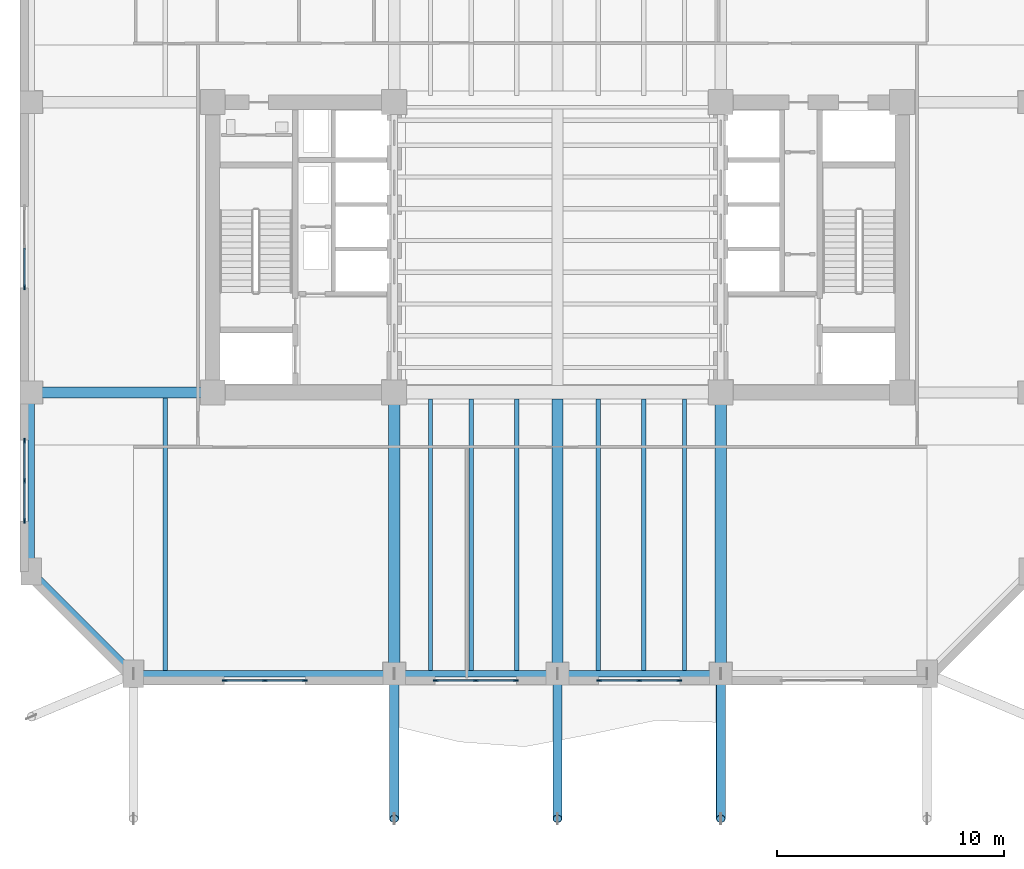
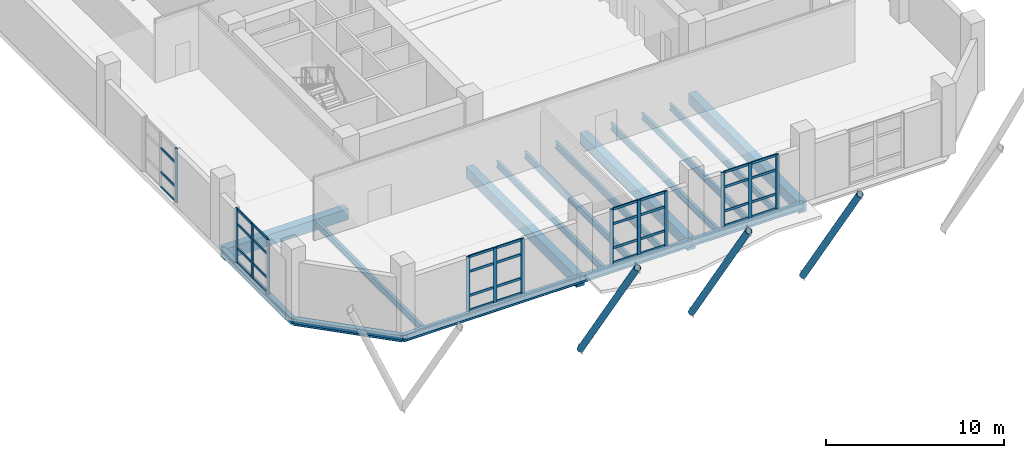
# One storey, part 2 of 16: 51 members, 16 beams, 5 elements without a shape of their own.
"""IFC4 building model written with IfcOpenShell, lengths in metres."""

import ifcopenshell
import ifcopenshell.guid

model = None  # the IFC model being written
_history = None  # IfcOwnerHistory: only IFC2X3 demands one
_inside = {}  # id of a spatial element -> (the spatial element, [elements in it])
_under = {}  # id of a project, library or spatial element -> (it, [spatial elements below it])
_declared = {}  # id of a project -> (the project, [libraries it declares])
_typed = {}  # id of a type object -> (the type object, [elements of that type])
_made_of = {}  # id of a material, layer set ... -> (it, [elements and type objects made of it])


def new_model(schema):
    """Start an empty IFC model of exactly this schema.

    Asked for "IFC4X3", IfcOpenShell would pick the latest addendum, in which some entities
    have other attributes; the version numbers below select the first issue.
    IFC2X3 requires an IfcOwnerHistory on every rooted entity: one is made here for all.
    """
    global model, _history
    if schema == "IFC4X3":
        model = ifcopenshell.file(schema_version=(4, 3, 0, 0))
    else:
        model = ifcopenshell.file(schema=schema)
    _inside.clear()
    _under.clear()
    _declared.clear()
    _typed.clear()
    _made_of.clear()
    _history = None
    if model.schema == "IFC2X3":
        org = make("IfcOrganization", Name="unknown")
        user = make(
            "IfcPersonAndOrganization",
            ThePerson=make("IfcPerson", FamilyName="unknown"),
            TheOrganization=org,
        )
        app = make(
            "IfcApplication",
            ApplicationDeveloper=org,
            Version="unknown",
            ApplicationFullName="unknown",
            ApplicationIdentifier="unknown",
        )
        _history = make(
            "IfcOwnerHistory",
            OwningUser=user,
            OwningApplication=app,
            ChangeAction="ADDED",
            CreationDate=0,
        )
    return model


def make(cls, **values):
    """One entity of the class cls with the attributes given. An attribute that is None is left unset."""
    return model.create_entity(
        cls, **{name: value for name, value in values.items() if value is not None}
    )


def rooted(cls, **values):
    """An entity with a GlobalId (a new one), such as an element, a storey or a relation."""
    return make(cls, GlobalId=ifcopenshell.guid.new(), OwnerHistory=_history, **values)


def si_unit(unit_type, name, prefix=None):
    """IfcSIUnit, for example si_unit("LENGTHUNIT", "METRE", prefix="MILLI")."""
    return make("IfcSIUnit", UnitType=unit_type, Prefix=prefix, Name=name)


def assignment(units):
    """IfcUnitAssignment: the units of a project."""
    return None if units is None else make("IfcUnitAssignment", Units=units)


def point(xyz):
    """IfcCartesianPoint."""
    return None if xyz is None else make("IfcCartesianPoint", Coordinates=xyz)


def direction(xyz):
    """IfcDirection."""
    return None if xyz is None else make("IfcDirection", DirectionRatios=xyz)


def frame(location, z_axis=None, x_axis=None):
    """IfcAxis2Placement3D, a coordinate frame: its origin and axes. An axis left out is left unset."""
    return make(
        "IfcAxis2Placement3D",
        Location=point(location),
        Axis=direction(z_axis),
        RefDirection=direction(x_axis),
    )


def frame_2d(location, x_axis=None):
    """IfcAxis2Placement2D, a coordinate frame in the plane: its origin and x axis."""
    return make(
        "IfcAxis2Placement2D", Location=point(location), RefDirection=direction(x_axis)
    )


def origin():
    """The frame at (0, 0, 0) with its axes left unset."""
    return frame((0.0, 0.0, 0.0))


def origin_2d():
    """The frame at (0, 0) in the plane with its x axis left unset."""
    return frame_2d((0.0, 0.0))


def place(relative_to, where):
    """IfcLocalPlacement: puts the frame where relative to a parent placement (None: the world)."""
    return make(
        "IfcLocalPlacement", PlacementRelTo=relative_to, RelativePlacement=where
    )


def context(
    kind, dimensions, precision=None, world=None, true_north=None, identifier=None
):
    """IfcGeometricRepresentationContext, for example the 3D "Model" context."""
    return make(
        "IfcGeometricRepresentationContext",
        ContextIdentifier=identifier,
        ContextType=kind,
        CoordinateSpaceDimension=dimensions,
        Precision=precision,
        WorldCoordinateSystem=world,
        TrueNorth=true_north,
    )


def subcontext(parent, identifier, kind, view, scale=None):
    """IfcGeometricRepresentationSubContext, for example "Body" below "Model"."""
    return make(
        "IfcGeometricRepresentationSubContext",
        ContextIdentifier=identifier,
        ContextType=kind,
        ParentContext=parent,
        TargetScale=scale,
        TargetView=view,
    )


def project(units=None, contexts=None):
    """IfcProject with its units and contexts."""
    return rooted(
        "IfcProject",
        Name="project",
        RepresentationContexts=contexts,
        UnitsInContext=assignment(units),
    )


def spatial(cls, under=None, at=None, **own):
    """A site, building, storey or space (cls), placed at a placement, below another one or the project."""
    s = rooted(cls, ObjectPlacement=at, **own)
    if under is not None:
        _under.setdefault(under.id(), (under, []))[1].append(s)
    return s


def profile(cls, at=None, kind="AREA", **sizes):
    """A parametric profile (cls). Its sizes go by their IFC names, for example OverallWidth=200.0."""
    return make(cls, ProfileType=kind, Position=at, **sizes)


def rectangle(**sizes):
    """IfcRectangleProfileDef."""
    return profile("IfcRectangleProfileDef", **sizes)


def hollow_circle(**sizes):
    """IfcCircleHollowProfileDef."""
    return profile("IfcCircleHollowProfileDef", **sizes)


def i_section(**sizes):
    """IfcIShapeProfileDef."""
    return profile("IfcIShapeProfileDef", **sizes)


def extrude(swept, where, along, depth):
    """IfcExtrudedAreaSolid: the profile swept, set in the frame where, extruded along a direction by depth."""
    return make(
        "IfcExtrudedAreaSolid",
        SweptArea=swept,
        Position=where,
        ExtrudedDirection=direction(along),
        Depth=depth,
    )


def shape(context_of_items, identifier, shape_type, items):
    """IfcShapeRepresentation: the items that make up one representation, for example the "Body"."""
    return make(
        "IfcShapeRepresentation",
        ContextOfItems=context_of_items,
        RepresentationIdentifier=identifier,
        RepresentationType=shape_type,
        Items=items,
    )


def material(Name=None, Category=None):
    """IfcMaterial."""
    return make("IfcMaterial", Name=Name, Category=Category)


def layer(
    of_material, thickness, ventilated=None, Name=None, Category=None, Priority=None
):
    """IfcMaterialLayer: one layer of a wall or slab, of a material (None: an air gap)."""
    return make(
        "IfcMaterialLayer",
        Material=of_material,
        LayerThickness=thickness,
        IsVentilated=ventilated,
        Name=Name,
        Category=Category,
        Priority=Priority,
    )


def layer_set(layers, Name=None):
    """IfcMaterialLayerSet."""
    return make("IfcMaterialLayerSet", MaterialLayers=layers, LayerSetName=Name)


def material_profile(
    of_material, cross_section, Name=None, Category=None, Priority=None
):
    """IfcMaterialProfile: a cross section and its material."""
    return make(
        "IfcMaterialProfile",
        Name=Name,
        Material=of_material,
        Profile=cross_section,
        Priority=Priority,
        Category=Category,
    )


def profile_set(profiles, Name=None, composite=None):
    """IfcMaterialProfileSet."""
    return make(
        "IfcMaterialProfileSet",
        Name=Name,
        MaterialProfiles=profiles,
        CompositeProfile=composite,
    )


def made_of(thing, what):
    """Note that an element or type object is made of a material, layer set ...; save() writes the relation."""
    if what is not None:
        _made_of.setdefault(what.id(), (what, []))[1].append(thing)
    return thing


def type_object(cls, material=None, **own):
    """A type object (cls), such as IfcWallType, which elements share."""
    return made_of(rooted(cls, **own), material)


def element(
    cls,
    number,
    at=None,
    inside=None,
    cuts=None,
    type_object=None,
    material=None,
    context=None,
    identifier="Body",
    shape_type=None,
    held_by="IfcProductDefinitionShape",
    body=None,
    shapes=None,
    **own,
):
    """One element of the class cls, such as IfcWall. Its Tag is "e" and its number.

    at: its placement. inside: the storey or other place that contains it. cuts: it is an
    opening in that element (IfcRelVoidsElement). A single representation is given by context,
    identifier, shape_type and body (its items); several are given by shapes. held_by: the class
    of the entity that holds the representations. save() writes the other relations.
    """
    e = rooted(cls, Tag="e%d" % number, ObjectPlacement=at, **own)
    if body is not None:
        shapes = [shape(context, identifier, shape_type, body)]
    if shapes is not None:
        e.Representation = make(held_by, Representations=shapes)
    if inside is not None:
        _inside.setdefault(inside.id(), (inside, []))[1].append(e)
    if cuts is not None:
        rooted(
            "IfcRelVoidsElement", RelatingBuildingElement=cuts, RelatedOpeningElement=e
        )
    if type_object is not None:
        _typed.setdefault(type_object.id(), (type_object, []))[1].append(e)
    return made_of(e, material)


def aggregate(whole, parts):
    """IfcRelAggregates: a whole, such as a stair, and the parts it consists of."""
    return rooted("IfcRelAggregates", RelatingObject=whole, RelatedObjects=parts)


def save(model, path):
    """Write the relations noted so far, then the file.

    IfcRelAggregates (storeys below a building ...), IfcRelContainedInSpatialStructure (elements
    in a storey), IfcRelDefinesByType, IfcRelAssociatesMaterial and IfcRelDeclares: one each for
    every whole, place, type object, material and project.
    """
    for whole, parts in _under.values():
        aggregate(whole, parts)
    for where, things in _inside.values():
        rooted(
            "IfcRelContainedInSpatialStructure",
            RelatedElements=things,
            RelatingStructure=where,
        )
    for kind, things in _typed.values():
        rooted("IfcRelDefinesByType", RelatedObjects=things, RelatingType=kind)
    for what, things in _made_of.values():
        rooted("IfcRelAssociatesMaterial", RelatedObjects=things, RelatingMaterial=what)
    for by, libraries in _declared.values():
        rooted("IfcRelDeclares", RelatingContext=by, RelatedDefinitions=libraries)
    model.write(path)


model = new_model("IFC4")

# Units and contexts
model_context = context("Model", 3, precision=1e-05, world=origin(), true_north=direction((0.0, 1.0)))
body_context = subcontext(model_context, "Body", "Model", "MODEL_VIEW")
ifc_project = project(units=[si_unit("LENGTHUNIT", "METRE"), si_unit("AREAUNIT", "SQUARE_METRE"), si_unit("VOLUMEUNIT", "CUBIC_METRE"), si_unit("PLANEANGLEUNIT", "RADIAN"), si_unit("MASSUNIT", "GRAM", prefix="KILO")], contexts=[model_context])

# Site, building, storey
site_placement = place(None, origin())
site = spatial("IfcSite", under=ifc_project, at=site_placement, CompositionType="ELEMENT")
building_placement = place(site_placement, origin())
building = spatial("IfcBuilding", under=site, at=building_placement, Name="Kranthara Brick Stack", CompositionType="ELEMENT")
storey_placement = place(building_placement, frame((0.0, 0.0, 115.5)))
storey = spatial("IfcBuildingStorey", under=building, at=storey_placement, Name="L28", CompositionType="ELEMENT", Elevation=115.5)

# Beams
ifc_material_1 = material(Name="Post-tensioned concrete C45/55", Category="concrete")
ifc_material_profile_1 = material_profile(ifc_material_1, rectangle(XDim=0.5, YDim=0.75, at=origin_2d()), Name="PT 500x750")
ifc_profile_set_1 = profile_set([ifc_material_profile_1], Name="Post-tensioned concrete C45/55")
beam_type_1 = type_object("IfcBeamType", Name="BM-FLR-PT750", PredefinedType="BEAM", material=ifc_profile_set_1)
beam_1_placement = place(storey_placement, frame((20.800048828125, 8.39990234375, -0.735107421875), z_axis=(0.0, 1.0, 0.0), x_axis=(-1.0, 0.0, 0.0)))
element("IfcBeam", 1, at=beam_1_placement, inside=storey, type_object=beam_type_1, Name="L28 Primary Grid Girder 023", PredefinedType="BEAM", context=body_context, shape_type="SweptSolid", body=[
    extrude(rectangle(XDim=0.5, YDim=0.75, at=origin_2d()), origin(), (0.0, 0.0, 1.0), 12.400146484375),
])
beam_2_placement = place(storey_placement, frame((28.0, 8.39990234375, -0.735107421875), z_axis=(0.0, 1.0, 0.0), x_axis=(-1.0, 0.0, 0.0)))
element("IfcBeam", 2, at=beam_2_placement, inside=storey, type_object=beam_type_1, Name="L28 Primary Grid Girder 025", PredefinedType="BEAM", context=body_context, shape_type="SweptSolid", body=[
    extrude(rectangle(XDim=0.5, YDim=0.75, at=origin_2d()), origin(), (0.0, 0.0, 1.0), 12.10009765625),
])
beam_3_placement = place(storey_placement, frame((35.199951171875, 8.39990234375, -0.735107421875), z_axis=(0.0, 1.0, 0.0), x_axis=(-1.0, 0.0, 0.0)))
element("IfcBeam", 3, at=beam_3_placement, inside=storey, type_object=beam_type_1, Name="L28 Primary Grid Girder 028", PredefinedType="BEAM", context=body_context, shape_type="SweptSolid", body=[
    extrude(rectangle(XDim=0.5, YDim=0.75, at=origin_2d()), origin(), (0.0, 0.0, 1.0), 12.400146484375),
])
beam_4_placement = place(storey_placement, frame((4.800048828125, 20.800048828125, -0.735107421875), z_axis=(1.0, 0.0, 0.0), x_axis=(0.0, 1.0, 0.0)))
element("IfcBeam", 4, at=beam_4_placement, inside=storey, type_object=beam_type_1, Name="L28 Primary Grid Girder 030", PredefinedType="BEAM", context=body_context, shape_type="SweptSolid", body=[
    extrude(rectangle(XDim=0.5, YDim=0.75, at=origin_2d()), origin(), (0.0, 0.0, 1.0), 8.0),
])
ifc_material_2 = material(Name="Steel S355", Category="steel")
ifc_material_profile_2 = material_profile(ifc_material_2, i_section(OverallWidth=0.18994140625, OverallDepth=0.449951171875, WebThickness=0.009521484375, FlangeThickness=0.0146484375, at=origin_2d()), Name="IPE 450")
ifc_profile_set_2 = profile_set([ifc_material_profile_2], Name="Steel S355")
beam_type_2 = type_object("IfcBeamType", Name="BM-JST-IPE450", PredefinedType="JOIST", material=ifc_profile_set_2)
beam_5_placement = place(storey_placement, frame((10.699951171875, 8.550048828125, -0.5849609375), z_axis=(0.0, 1.0, 0.0), x_axis=(-1.0, 0.0, 0.0)))
element("IfcBeam", 5, at=beam_5_placement, inside=storey, type_object=beam_type_2, Name="L28 South Wing Floor Joist 052", PredefinedType="JOIST", context=body_context, shape_type="SweptSolid", body=[
    extrude(i_section(OverallWidth=0.18994140625, OverallDepth=0.449951171875, WebThickness=0.009521484375, FlangeThickness=0.0146484375, at=origin_2d()), origin(), (0.0, 0.0, 1.0), 12.0),
])
for number, where, z_axis, x_axis, name in (
    (6, (22.39990234375, 8.550048828125, -0.5849609375), (0.0, 1.0, 0.0), (-1.0, 0.0, 0.0), "L28 South Wing Floor Joist 054"),
    (7, (24.199951171875, 8.550048828125, -0.5849609375), (0.0, 1.0, 0.0), (-1.0, 0.0, 0.0), "L28 South Wing Floor Joist 056"),
    (8, (26.199951171875, 8.550048828125, -0.5849609375), (0.0, 1.0, 0.0), (-1.0, 0.0, 0.0), "L28 South Wing Floor Joist 058"),
    (9, (29.800048828125, 8.550048828125, -0.5849609375), (0.0, 1.0, 0.0), (-1.0, 0.0, 0.0), "L28 South Wing Floor Joist 060"),
    (10, (31.800048828125, 8.550048828125, -0.5849609375), (0.0, 1.0, 0.0), (-1.0, 0.0, 0.0), "L28 South Wing Floor Joist 062"),
    (11, (33.60009765625, 8.550048828125, -0.5849609375), (0.0, 1.0, 0.0), (-1.0, 0.0, 0.0), "L28 South Wing Floor Joist 064"),
):
    element("IfcBeam", number, at=place(storey_placement, frame(where, z_axis=z_axis, x_axis=x_axis)), inside=storey, type_object=beam_type_2, Name=name, PredefinedType="JOIST", context=body_context, shape_type="SweptSolid", body=[
        extrude(i_section(OverallWidth=0.18994140625, OverallDepth=0.449951171875, WebThickness=0.009521484375, FlangeThickness=0.0146484375, at=origin_2d()), origin(), (0.0, 0.0, 1.0), 11.949951171875),
    ])
ifc_material_3 = material(Name="Steel S355", Category="steel")
ifc_material_profile_3 = material_profile(ifc_material_3, i_section(OverallWidth=0.300048828125, OverallDepth=0.449951171875, WebThickness=0.013916015625, FlangeThickness=0.02587890625, at=origin_2d()), Name="HEB 450")
ifc_profile_set_3 = profile_set([ifc_material_profile_3], Name="Steel S355")
beam_type_3 = type_object("IfcBeamType", Name="BM-STL-HEB450", PredefinedType="SPANDREL", material=ifc_profile_set_3)
beam_6_placement = place(storey_placement, frame((9.300048828125, 8.39990234375, -0.5849609375), z_axis=(1.0, 0.0, 0.0), x_axis=(0.0, 1.0, 0.0)))
element("IfcBeam", 12, at=beam_6_placement, inside=storey, type_object=beam_type_3, Name="L28 Perimeter Spandrel Beam 005", PredefinedType="SPANDREL", context=body_context, shape_type="SweptSolid", body=[
    extrude(i_section(OverallWidth=0.300048828125, OverallDepth=0.449951171875, WebThickness=0.013916015625, FlangeThickness=0.02587890625, at=origin_2d()), origin(), (0.0, 0.0, 1.0), 11.5),
])
for number, where, z_axis, x_axis, name in (
    (13, (20.800048828125, 8.39990234375, -0.5849609375), (1.0, 0.0, 0.0), (0.0, 1.0, 0.0), "L28 Perimeter Spandrel Beam 006"),
    (14, (28.0, 8.39990234375, -0.5849609375), (1.0, 0.0, 0.0), (0.0, 1.0, 0.0), "L28 Perimeter Spandrel Beam 007"),
):
    element("IfcBeam", number, at=place(storey_placement, frame(where, z_axis=z_axis, x_axis=x_axis)), inside=storey, type_object=beam_type_3, Name=name, PredefinedType="SPANDREL", context=body_context, shape_type="SweptSolid", body=[
        extrude(i_section(OverallWidth=0.300048828125, OverallDepth=0.449951171875, WebThickness=0.013916015625, FlangeThickness=0.02587890625, at=origin_2d()), origin(), (0.0, 0.0, 1.0), 7.199951171875),
    ])
beam_7_placement = place(storey_placement, frame((4.800048828125, 12.89990234375, -0.5849609375), z_axis=(0.0, 1.0, 0.0), x_axis=(-1.0, 0.0, 0.0)))
element("IfcBeam", 15, at=beam_7_placement, inside=storey, type_object=beam_type_3, Name="L28 Perimeter Spandrel Beam 013", PredefinedType="SPANDREL", context=body_context, shape_type="SweptSolid", body=[
    extrude(i_section(OverallWidth=0.300048828125, OverallDepth=0.449951171875, WebThickness=0.013916015625, FlangeThickness=0.02587890625, at=origin_2d()), origin(), (0.0, 0.0, 1.0), 7.900146484375),
])
beam_8_placement = place(storey_placement, frame((9.300048828125, 8.39990234375, -0.5849609375), z_axis=(-0.707106781187, 0.707106781187, 0.0), x_axis=(-0.707106781187, -0.707106781187, 0.0)))
element("IfcBeam", 16, at=beam_8_placement, inside=storey, type_object=beam_type_3, Name="L28 Chamfer Corner Spandrel 019", PredefinedType="SPANDREL", context=body_context, shape_type="SweptSolid", body=[
    extrude(i_section(OverallWidth=0.300048828125, OverallDepth=0.449951171875, WebThickness=0.013916015625, FlangeThickness=0.02587890625, at=origin_2d()), origin(), (0.0, 0.0, 1.0), 6.364013671875),
])

# Curtain wall, members
ifc_material_4 = material(Name="Bronze anodised aluminium and low-E glass", Category="aluminium")
ifc_layer = layer(ifc_material_4, 0.219970703125)
ifc_layer_set = layer_set([ifc_layer], Name="Bronze anodised aluminium and low-E glass")
curtain_wall_type = type_object("IfcCurtainWallType", Name="CW-SYS3-SKYLOBBY1", PredefinedType="USERDEFINED", material=ifc_layer_set)
curtain_wall_1_placement = place(storey_placement, origin())
curtain_wall_1 = element("IfcCurtainWall", 17, at=curtain_wall_1_placement, inside=storey, type_object=curtain_wall_type, Name="L28 Curtain Wall CW3-L28-02", ObjectType="UNITISED CURTAIN WALL", PredefinedType="USERDEFINED")
ifc_material_5 = material(Name="Bronze anodised aluminium 6063-T6", Category="aluminium")
ifc_material_profile_4 = material_profile(ifc_material_5, rectangle(XDim=0.074951171875, YDim=0.219970703125, at=origin_2d()), Name="ALU MULLION 75x220")
ifc_profile_set_4 = profile_set([ifc_material_profile_4], Name="Bronze anodised aluminium 6063-T6")
member_type_1 = type_object("IfcMemberType", Name="CWM-75x220", PredefinedType="MULLION", material=ifc_profile_set_4)
member_1_placement = place(storey_placement, frame((33.362548828125, 8.094970703125, 0.0), z_axis=(0.0, 0.0, 1.0), x_axis=(0.0, -1.0, 0.0)))
member_1 = element("IfcMember", 18, at=member_1_placement, type_object=member_type_1, Name="CW mullion 1", PredefinedType="MULLION", context=body_context, shape_type="SweptSolid", body=[
    extrude(rectangle(XDim=0.074951171875, YDim=0.219970703125, at=origin_2d()), origin(), (0.0, 0.0, 1.0), 3.735107421875),
])
member_2_placement = place(storey_placement, frame((31.60009765625, 8.094970703125, 0.0), z_axis=(0.0, 0.0, 1.0), x_axis=(0.0, -1.0, 0.0)))
member_2 = element("IfcMember", 19, at=member_2_placement, type_object=member_type_1, Name="CW mullion 2", PredefinedType="MULLION", context=body_context, shape_type="SweptSolid", body=[
    extrude(rectangle(XDim=0.074951171875, YDim=0.219970703125, at=origin_2d()), origin(), (0.0, 0.0, 1.0), 3.735107421875),
])
member_3_placement = place(storey_placement, frame((29.83740234375, 8.094970703125, 0.0), z_axis=(0.0, 0.0, 1.0), x_axis=(0.0, -1.0, 0.0)))
member_3 = element("IfcMember", 20, at=member_3_placement, type_object=member_type_1, Name="CW mullion 3", PredefinedType="MULLION", context=body_context, shape_type="SweptSolid", body=[
    extrude(rectangle(XDim=0.074951171875, YDim=0.219970703125, at=origin_2d()), origin(), (0.0, 0.0, 1.0), 3.735107421875),
])

curtain_wall_2_placement = place(storey_placement, origin())
curtain_wall_2 = element("IfcCurtainWall", 21, at=curtain_wall_2_placement, inside=storey, type_object=curtain_wall_type, Name="L28 Curtain Wall CW3-L28-03", ObjectType="UNITISED CURTAIN WALL", PredefinedType="USERDEFINED")
member_4_placement = place(storey_placement, frame((26.16259765625, 8.094970703125, 0.0), z_axis=(0.0, 0.0, 1.0), x_axis=(0.0, -1.0, 0.0)))
member_4 = element("IfcMember", 22, at=member_4_placement, type_object=member_type_1, Name="CW mullion 1", PredefinedType="MULLION", context=body_context, shape_type="SweptSolid", body=[
    extrude(rectangle(XDim=0.074951171875, YDim=0.219970703125, at=origin_2d()), origin(), (0.0, 0.0, 1.0), 3.735107421875),
])
member_5_placement = place(storey_placement, frame((24.39990234375, 8.094970703125, 0.0), z_axis=(0.0, 0.0, 1.0), x_axis=(0.0, -1.0, 0.0)))
member_5 = element("IfcMember", 23, at=member_5_placement, type_object=member_type_1, Name="CW mullion 2", PredefinedType="MULLION", context=body_context, shape_type="SweptSolid", body=[
    extrude(rectangle(XDim=0.074951171875, YDim=0.219970703125, at=origin_2d()), origin(), (0.0, 0.0, 1.0), 3.735107421875),
])
member_6_placement = place(storey_placement, frame((22.637451171875, 8.094970703125, 0.0), z_axis=(0.0, 0.0, 1.0), x_axis=(0.0, -1.0, 0.0)))
member_6 = element("IfcMember", 24, at=member_6_placement, type_object=member_type_1, Name="CW mullion 3", PredefinedType="MULLION", context=body_context, shape_type="SweptSolid", body=[
    extrude(rectangle(XDim=0.074951171875, YDim=0.219970703125, at=origin_2d()), origin(), (0.0, 0.0, 1.0), 3.735107421875),
])

curtain_wall_3_placement = place(storey_placement, origin())
curtain_wall_3 = element("IfcCurtainWall", 25, at=curtain_wall_3_placement, inside=storey, type_object=curtain_wall_type, Name="L28 Curtain Wall CW3-L28-04", ObjectType="UNITISED CURTAIN WALL", PredefinedType="USERDEFINED")
member_7_placement = place(storey_placement, frame((16.862548828125, 8.094970703125, 0.0), z_axis=(0.0, 0.0, 1.0), x_axis=(0.0, -1.0, 0.0)))
member_7 = element("IfcMember", 26, at=member_7_placement, type_object=member_type_1, Name="CW mullion 1", PredefinedType="MULLION", context=body_context, shape_type="SweptSolid", body=[
    extrude(rectangle(XDim=0.074951171875, YDim=0.219970703125, at=origin_2d()), origin(), (0.0, 0.0, 1.0), 3.735107421875),
])
member_8_placement = place(storey_placement, frame((15.10009765625, 8.094970703125, 0.0), z_axis=(0.0, 0.0, 1.0), x_axis=(0.0, -1.0, 0.0)))
member_8 = element("IfcMember", 27, at=member_8_placement, type_object=member_type_1, Name="CW mullion 2", PredefinedType="MULLION", context=body_context, shape_type="SweptSolid", body=[
    extrude(rectangle(XDim=0.074951171875, YDim=0.219970703125, at=origin_2d()), origin(), (0.0, 0.0, 1.0), 3.735107421875),
])
member_9_placement = place(storey_placement, frame((13.33740234375, 8.094970703125, 0.0), z_axis=(0.0, 0.0, 1.0), x_axis=(0.0, -1.0, 0.0)))
member_9 = element("IfcMember", 28, at=member_9_placement, type_object=member_type_1, Name="CW mullion 3", PredefinedType="MULLION", context=body_context, shape_type="SweptSolid", body=[
    extrude(rectangle(XDim=0.074951171875, YDim=0.219970703125, at=origin_2d()), origin(), (0.0, 0.0, 1.0), 3.735107421875),
])

curtain_wall_4_placement = place(storey_placement, origin())
curtain_wall_4 = element("IfcCurtainWall", 29, at=curtain_wall_4_placement, inside=storey, type_object=curtain_wall_type, Name="L28 Curtain Wall CW3-L28-05", ObjectType="UNITISED CURTAIN WALL", PredefinedType="USERDEFINED")
member_10_placement = place(storey_placement, frame((4.4951171875, 15.137451171875, 0.0), z_axis=(0.0, 0.0, 1.0), x_axis=(-1.0, 0.0, 0.0)))
member_10 = element("IfcMember", 30, at=member_10_placement, type_object=member_type_1, Name="CW mullion 1", PredefinedType="MULLION", context=body_context, shape_type="SweptSolid", body=[
    extrude(rectangle(XDim=0.074951171875, YDim=0.219970703125, at=origin_2d()), origin(), (0.0, 0.0, 1.0), 3.735107421875),
])
member_11_placement = place(storey_placement, frame((4.4951171875, 16.89990234375, 0.0), z_axis=(0.0, 0.0, 1.0), x_axis=(-1.0, 0.0, 0.0)))
member_11 = element("IfcMember", 31, at=member_11_placement, type_object=member_type_1, Name="CW mullion 2", PredefinedType="MULLION", context=body_context, shape_type="SweptSolid", body=[
    extrude(rectangle(XDim=0.074951171875, YDim=0.219970703125, at=origin_2d()), origin(), (0.0, 0.0, 1.0), 3.735107421875),
])
member_12_placement = place(storey_placement, frame((4.4951171875, 18.66259765625, 0.0), z_axis=(0.0, 0.0, 1.0), x_axis=(-1.0, 0.0, 0.0)))
member_12 = element("IfcMember", 32, at=member_12_placement, type_object=member_type_1, Name="CW mullion 3", PredefinedType="MULLION", context=body_context, shape_type="SweptSolid", body=[
    extrude(rectangle(XDim=0.074951171875, YDim=0.219970703125, at=origin_2d()), origin(), (0.0, 0.0, 1.0), 3.735107421875),
])

# Curtain wall, member
curtain_wall_5_placement = place(storey_placement, origin())
curtain_wall_5 = element("IfcCurtainWall", 33, at=curtain_wall_5_placement, inside=storey, type_object=curtain_wall_type, Name="L28 Curtain Wall CW3-L28-06", ObjectType="UNITISED CURTAIN WALL", PredefinedType="USERDEFINED")
member_13_placement = place(storey_placement, frame((4.4951171875, 25.4375, 0.0), z_axis=(0.0, 0.0, 1.0), x_axis=(-1.0, 0.0, 0.0)))
member_13 = element("IfcMember", 34, at=member_13_placement, type_object=member_type_1, Name="CW mullion 1", PredefinedType="MULLION", context=body_context, shape_type="SweptSolid", body=[
    extrude(rectangle(XDim=0.074951171875, YDim=0.219970703125, at=origin_2d()), origin(), (0.0, 0.0, 1.0), 3.735107421875),
])

# Member
ifc_material_6 = material(Name="Bronze anodised aluminium 6063-T6", Category="aluminium")
ifc_material_profile_5 = material_profile(ifc_material_6, rectangle(XDim=0.074951171875, YDim=0.1650390625, at=origin_2d()), Name="ALU TRANSOM 75x165")
ifc_profile_set_5 = profile_set([ifc_material_profile_5], Name="Bronze anodised aluminium 6063-T6")
member_type_2 = type_object("IfcMemberType", Name="CWT-75x165", PredefinedType="USERDEFINED", material=ifc_profile_set_5)
member_14_placement = place(storey_placement, frame((33.324951171875, 8.094970703125, 0.03759765625), z_axis=(-1.0, 0.0, 0.0), x_axis=(0.0, -1.0, 0.0)))
member_14 = element("IfcMember", 35, at=member_14_placement, type_object=member_type_2, Name="CW transom 1.1", ObjectType="TRANSOM", PredefinedType="USERDEFINED", context=body_context, shape_type="SweptSolid", body=[
    extrude(rectangle(XDim=0.074951171875, YDim=0.1650390625, at=origin_2d()), origin(), (0.0, 0.0, 1.0), 1.6875),
])

member_15_placement = place(storey_placement, frame((33.324951171875, 8.094970703125, 1.0458984375), z_axis=(-1.0, 0.0, 0.0), x_axis=(0.0, -1.0, 0.0)))
member_15 = element("IfcMember", 36, at=member_15_placement, type_object=member_type_2, Name="CW transom 1.2", ObjectType="TRANSOM", PredefinedType="USERDEFINED", context=body_context, shape_type="SweptSolid", body=[
    extrude(rectangle(XDim=0.074951171875, YDim=0.1650390625, at=origin_2d()), origin(), (0.0, 0.0, 1.0), 1.6875),
])

member_16_placement = place(storey_placement, frame((33.324951171875, 8.094970703125, 2.689208984375), z_axis=(-1.0, 0.0, 0.0), x_axis=(0.0, -1.0, 0.0)))
member_16 = element("IfcMember", 37, at=member_16_placement, type_object=member_type_2, Name="CW transom 1.3", ObjectType="TRANSOM", PredefinedType="USERDEFINED", context=body_context, shape_type="SweptSolid", body=[
    extrude(rectangle(XDim=0.074951171875, YDim=0.1650390625, at=origin_2d()), origin(), (0.0, 0.0, 1.0), 1.6875),
])

member_17_placement = place(storey_placement, frame((33.324951171875, 8.094970703125, 3.697509765625), z_axis=(-1.0, 0.0, 0.0), x_axis=(0.0, -1.0, 0.0)))
member_17 = element("IfcMember", 38, at=member_17_placement, type_object=member_type_2, Name="CW transom 1.4", ObjectType="TRANSOM", PredefinedType="USERDEFINED", context=body_context, shape_type="SweptSolid", body=[
    extrude(rectangle(XDim=0.074951171875, YDim=0.1650390625, at=origin_2d()), origin(), (0.0, 0.0, 1.0), 1.6875),
])

member_18_placement = place(storey_placement, frame((31.5625, 8.094970703125, 0.03759765625), z_axis=(-1.0, 0.0, 0.0), x_axis=(0.0, -1.0, 0.0)))
member_18 = element("IfcMember", 39, at=member_18_placement, type_object=member_type_2, Name="CW transom 2.1", ObjectType="TRANSOM", PredefinedType="USERDEFINED", context=body_context, shape_type="SweptSolid", body=[
    extrude(rectangle(XDim=0.074951171875, YDim=0.1650390625, at=origin_2d()), origin(), (0.0, 0.0, 1.0), 1.6875),
])

member_19_placement = place(storey_placement, frame((31.5625, 8.094970703125, 1.0458984375), z_axis=(-1.0, 0.0, 0.0), x_axis=(0.0, -1.0, 0.0)))
member_19 = element("IfcMember", 40, at=member_19_placement, type_object=member_type_2, Name="CW transom 2.2", ObjectType="TRANSOM", PredefinedType="USERDEFINED", context=body_context, shape_type="SweptSolid", body=[
    extrude(rectangle(XDim=0.074951171875, YDim=0.1650390625, at=origin_2d()), origin(), (0.0, 0.0, 1.0), 1.6875),
])

member_20_placement = place(storey_placement, frame((31.5625, 8.094970703125, 2.689208984375), z_axis=(-1.0, 0.0, 0.0), x_axis=(0.0, -1.0, 0.0)))
member_20 = element("IfcMember", 41, at=member_20_placement, type_object=member_type_2, Name="CW transom 2.3", ObjectType="TRANSOM", PredefinedType="USERDEFINED", context=body_context, shape_type="SweptSolid", body=[
    extrude(rectangle(XDim=0.074951171875, YDim=0.1650390625, at=origin_2d()), origin(), (0.0, 0.0, 1.0), 1.6875),
])

member_21_placement = place(storey_placement, frame((31.5625, 8.094970703125, 3.697509765625), z_axis=(-1.0, 0.0, 0.0), x_axis=(0.0, -1.0, 0.0)))
member_21 = element("IfcMember", 42, at=member_21_placement, type_object=member_type_2, Name="CW transom 2.4", ObjectType="TRANSOM", PredefinedType="USERDEFINED", context=body_context, shape_type="SweptSolid", body=[
    extrude(rectangle(XDim=0.074951171875, YDim=0.1650390625, at=origin_2d()), origin(), (0.0, 0.0, 1.0), 1.6875),
])

aggregate(curtain_wall_1, [member_1, member_2, member_3, member_14, member_15, member_16, member_17, member_18, member_19, member_20, member_21])

member_22_placement = place(storey_placement, frame((26.125, 8.094970703125, 0.03759765625), z_axis=(-1.0, 0.0, 0.0), x_axis=(0.0, -1.0, 0.0)))
member_22 = element("IfcMember", 43, at=member_22_placement, type_object=member_type_2, Name="CW transom 1.1", ObjectType="TRANSOM", PredefinedType="USERDEFINED", context=body_context, shape_type="SweptSolid", body=[
    extrude(rectangle(XDim=0.074951171875, YDim=0.1650390625, at=origin_2d()), origin(), (0.0, 0.0, 1.0), 1.6875),
])

member_23_placement = place(storey_placement, frame((26.125, 8.094970703125, 1.0458984375), z_axis=(-1.0, 0.0, 0.0), x_axis=(0.0, -1.0, 0.0)))
member_23 = element("IfcMember", 44, at=member_23_placement, type_object=member_type_2, Name="CW transom 1.2", ObjectType="TRANSOM", PredefinedType="USERDEFINED", context=body_context, shape_type="SweptSolid", body=[
    extrude(rectangle(XDim=0.074951171875, YDim=0.1650390625, at=origin_2d()), origin(), (0.0, 0.0, 1.0), 1.6875),
])

member_24_placement = place(storey_placement, frame((26.125, 8.094970703125, 2.689208984375), z_axis=(-1.0, 0.0, 0.0), x_axis=(0.0, -1.0, 0.0)))
member_24 = element("IfcMember", 45, at=member_24_placement, type_object=member_type_2, Name="CW transom 1.3", ObjectType="TRANSOM", PredefinedType="USERDEFINED", context=body_context, shape_type="SweptSolid", body=[
    extrude(rectangle(XDim=0.074951171875, YDim=0.1650390625, at=origin_2d()), origin(), (0.0, 0.0, 1.0), 1.6875),
])

member_25_placement = place(storey_placement, frame((26.125, 8.094970703125, 3.697509765625), z_axis=(-1.0, 0.0, 0.0), x_axis=(0.0, -1.0, 0.0)))
member_25 = element("IfcMember", 46, at=member_25_placement, type_object=member_type_2, Name="CW transom 1.4", ObjectType="TRANSOM", PredefinedType="USERDEFINED", context=body_context, shape_type="SweptSolid", body=[
    extrude(rectangle(XDim=0.074951171875, YDim=0.1650390625, at=origin_2d()), origin(), (0.0, 0.0, 1.0), 1.6875),
])

member_26_placement = place(storey_placement, frame((24.362548828125, 8.094970703125, 0.03759765625), z_axis=(-1.0, 0.0, 0.0), x_axis=(0.0, -1.0, 0.0)))
member_26 = element("IfcMember", 47, at=member_26_placement, type_object=member_type_2, Name="CW transom 2.1", ObjectType="TRANSOM", PredefinedType="USERDEFINED", context=body_context, shape_type="SweptSolid", body=[
    extrude(rectangle(XDim=0.074951171875, YDim=0.1650390625, at=origin_2d()), origin(), (0.0, 0.0, 1.0), 1.6875),
])

member_27_placement = place(storey_placement, frame((24.362548828125, 8.094970703125, 1.0458984375), z_axis=(-1.0, 0.0, 0.0), x_axis=(0.0, -1.0, 0.0)))
member_27 = element("IfcMember", 48, at=member_27_placement, type_object=member_type_2, Name="CW transom 2.2", ObjectType="TRANSOM", PredefinedType="USERDEFINED", context=body_context, shape_type="SweptSolid", body=[
    extrude(rectangle(XDim=0.074951171875, YDim=0.1650390625, at=origin_2d()), origin(), (0.0, 0.0, 1.0), 1.6875),
])

member_28_placement = place(storey_placement, frame((24.362548828125, 8.094970703125, 2.689208984375), z_axis=(-1.0, 0.0, 0.0), x_axis=(0.0, -1.0, 0.0)))
member_28 = element("IfcMember", 49, at=member_28_placement, type_object=member_type_2, Name="CW transom 2.3", ObjectType="TRANSOM", PredefinedType="USERDEFINED", context=body_context, shape_type="SweptSolid", body=[
    extrude(rectangle(XDim=0.074951171875, YDim=0.1650390625, at=origin_2d()), origin(), (0.0, 0.0, 1.0), 1.6875),
])

member_29_placement = place(storey_placement, frame((24.362548828125, 8.094970703125, 3.697509765625), z_axis=(-1.0, 0.0, 0.0), x_axis=(0.0, -1.0, 0.0)))
member_29 = element("IfcMember", 50, at=member_29_placement, type_object=member_type_2, Name="CW transom 2.4", ObjectType="TRANSOM", PredefinedType="USERDEFINED", context=body_context, shape_type="SweptSolid", body=[
    extrude(rectangle(XDim=0.074951171875, YDim=0.1650390625, at=origin_2d()), origin(), (0.0, 0.0, 1.0), 1.6875),
])

aggregate(curtain_wall_2, [member_4, member_5, member_6, member_22, member_23, member_24, member_25, member_26, member_27, member_28, member_29])

member_30_placement = place(storey_placement, frame((16.824951171875, 8.094970703125, 0.03759765625), z_axis=(-1.0, 0.0, 0.0), x_axis=(0.0, -1.0, 0.0)))
member_30 = element("IfcMember", 51, at=member_30_placement, type_object=member_type_2, Name="CW transom 1.1", ObjectType="TRANSOM", PredefinedType="USERDEFINED", context=body_context, shape_type="SweptSolid", body=[
    extrude(rectangle(XDim=0.074951171875, YDim=0.1650390625, at=origin_2d()), origin(), (0.0, 0.0, 1.0), 1.6875),
])

member_31_placement = place(storey_placement, frame((16.824951171875, 8.094970703125, 1.0458984375), z_axis=(-1.0, 0.0, 0.0), x_axis=(0.0, -1.0, 0.0)))
member_31 = element("IfcMember", 52, at=member_31_placement, type_object=member_type_2, Name="CW transom 1.2", ObjectType="TRANSOM", PredefinedType="USERDEFINED", context=body_context, shape_type="SweptSolid", body=[
    extrude(rectangle(XDim=0.074951171875, YDim=0.1650390625, at=origin_2d()), origin(), (0.0, 0.0, 1.0), 1.6875),
])

member_32_placement = place(storey_placement, frame((16.824951171875, 8.094970703125, 2.689208984375), z_axis=(-1.0, 0.0, 0.0), x_axis=(0.0, -1.0, 0.0)))
member_32 = element("IfcMember", 53, at=member_32_placement, type_object=member_type_2, Name="CW transom 1.3", ObjectType="TRANSOM", PredefinedType="USERDEFINED", context=body_context, shape_type="SweptSolid", body=[
    extrude(rectangle(XDim=0.074951171875, YDim=0.1650390625, at=origin_2d()), origin(), (0.0, 0.0, 1.0), 1.6875),
])

member_33_placement = place(storey_placement, frame((16.824951171875, 8.094970703125, 3.697509765625), z_axis=(-1.0, 0.0, 0.0), x_axis=(0.0, -1.0, 0.0)))
member_33 = element("IfcMember", 54, at=member_33_placement, type_object=member_type_2, Name="CW transom 1.4", ObjectType="TRANSOM", PredefinedType="USERDEFINED", context=body_context, shape_type="SweptSolid", body=[
    extrude(rectangle(XDim=0.074951171875, YDim=0.1650390625, at=origin_2d()), origin(), (0.0, 0.0, 1.0), 1.6875),
])

member_34_placement = place(storey_placement, frame((15.0625, 8.094970703125, 0.03759765625), z_axis=(-1.0, 0.0, 0.0), x_axis=(0.0, -1.0, 0.0)))
member_34 = element("IfcMember", 55, at=member_34_placement, type_object=member_type_2, Name="CW transom 2.1", ObjectType="TRANSOM", PredefinedType="USERDEFINED", context=body_context, shape_type="SweptSolid", body=[
    extrude(rectangle(XDim=0.074951171875, YDim=0.1650390625, at=origin_2d()), origin(), (0.0, 0.0, 1.0), 1.6875),
])

member_35_placement = place(storey_placement, frame((15.0625, 8.094970703125, 1.0458984375), z_axis=(-1.0, 0.0, 0.0), x_axis=(0.0, -1.0, 0.0)))
member_35 = element("IfcMember", 56, at=member_35_placement, type_object=member_type_2, Name="CW transom 2.2", ObjectType="TRANSOM", PredefinedType="USERDEFINED", context=body_context, shape_type="SweptSolid", body=[
    extrude(rectangle(XDim=0.074951171875, YDim=0.1650390625, at=origin_2d()), origin(), (0.0, 0.0, 1.0), 1.6875),
])

member_36_placement = place(storey_placement, frame((15.0625, 8.094970703125, 2.689208984375), z_axis=(-1.0, 0.0, 0.0), x_axis=(0.0, -1.0, 0.0)))
member_36 = element("IfcMember", 57, at=member_36_placement, type_object=member_type_2, Name="CW transom 2.3", ObjectType="TRANSOM", PredefinedType="USERDEFINED", context=body_context, shape_type="SweptSolid", body=[
    extrude(rectangle(XDim=0.074951171875, YDim=0.1650390625, at=origin_2d()), origin(), (0.0, 0.0, 1.0), 1.6875),
])

member_37_placement = place(storey_placement, frame((15.0625, 8.094970703125, 3.697509765625), z_axis=(-1.0, 0.0, 0.0), x_axis=(0.0, -1.0, 0.0)))
member_37 = element("IfcMember", 58, at=member_37_placement, type_object=member_type_2, Name="CW transom 2.4", ObjectType="TRANSOM", PredefinedType="USERDEFINED", context=body_context, shape_type="SweptSolid", body=[
    extrude(rectangle(XDim=0.074951171875, YDim=0.1650390625, at=origin_2d()), origin(), (0.0, 0.0, 1.0), 1.6875),
])

aggregate(curtain_wall_3, [member_7, member_8, member_9, member_30, member_31, member_32, member_33, member_34, member_35, member_36, member_37])

member_38_placement = place(storey_placement, frame((4.4951171875, 15.175048828125, 0.03759765625), z_axis=(0.0, 1.0, 0.0), x_axis=(-1.0, 0.0, 0.0)))
member_38 = element("IfcMember", 59, at=member_38_placement, type_object=member_type_2, Name="CW transom 1.1", ObjectType="TRANSOM", PredefinedType="USERDEFINED", context=body_context, shape_type="SweptSolid", body=[
    extrude(rectangle(XDim=0.074951171875, YDim=0.1650390625, at=origin_2d()), origin(), (0.0, 0.0, 1.0), 1.6875),
])

member_39_placement = place(storey_placement, frame((4.4951171875, 15.175048828125, 1.0458984375), z_axis=(0.0, 1.0, 0.0), x_axis=(-1.0, 0.0, 0.0)))
member_39 = element("IfcMember", 60, at=member_39_placement, type_object=member_type_2, Name="CW transom 1.2", ObjectType="TRANSOM", PredefinedType="USERDEFINED", context=body_context, shape_type="SweptSolid", body=[
    extrude(rectangle(XDim=0.074951171875, YDim=0.1650390625, at=origin_2d()), origin(), (0.0, 0.0, 1.0), 1.6875),
])

member_40_placement = place(storey_placement, frame((4.4951171875, 15.175048828125, 2.689208984375), z_axis=(0.0, 1.0, 0.0), x_axis=(-1.0, 0.0, 0.0)))
member_40 = element("IfcMember", 61, at=member_40_placement, type_object=member_type_2, Name="CW transom 1.3", ObjectType="TRANSOM", PredefinedType="USERDEFINED", context=body_context, shape_type="SweptSolid", body=[
    extrude(rectangle(XDim=0.074951171875, YDim=0.1650390625, at=origin_2d()), origin(), (0.0, 0.0, 1.0), 1.6875),
])

member_41_placement = place(storey_placement, frame((4.4951171875, 15.175048828125, 3.697509765625), z_axis=(0.0, 1.0, 0.0), x_axis=(-1.0, 0.0, 0.0)))
member_41 = element("IfcMember", 62, at=member_41_placement, type_object=member_type_2, Name="CW transom 1.4", ObjectType="TRANSOM", PredefinedType="USERDEFINED", context=body_context, shape_type="SweptSolid", body=[
    extrude(rectangle(XDim=0.074951171875, YDim=0.1650390625, at=origin_2d()), origin(), (0.0, 0.0, 1.0), 1.6875),
])

member_42_placement = place(storey_placement, frame((4.4951171875, 16.9375, 0.03759765625), z_axis=(0.0, 1.0, 0.0), x_axis=(-1.0, 0.0, 0.0)))
member_42 = element("IfcMember", 63, at=member_42_placement, type_object=member_type_2, Name="CW transom 2.1", ObjectType="TRANSOM", PredefinedType="USERDEFINED", context=body_context, shape_type="SweptSolid", body=[
    extrude(rectangle(XDim=0.074951171875, YDim=0.1650390625, at=origin_2d()), origin(), (0.0, 0.0, 1.0), 1.6875),
])

member_43_placement = place(storey_placement, frame((4.4951171875, 16.9375, 1.0458984375), z_axis=(0.0, 1.0, 0.0), x_axis=(-1.0, 0.0, 0.0)))
member_43 = element("IfcMember", 64, at=member_43_placement, type_object=member_type_2, Name="CW transom 2.2", ObjectType="TRANSOM", PredefinedType="USERDEFINED", context=body_context, shape_type="SweptSolid", body=[
    extrude(rectangle(XDim=0.074951171875, YDim=0.1650390625, at=origin_2d()), origin(), (0.0, 0.0, 1.0), 1.6875),
])

member_44_placement = place(storey_placement, frame((4.4951171875, 16.9375, 2.689208984375), z_axis=(0.0, 1.0, 0.0), x_axis=(-1.0, 0.0, 0.0)))
member_44 = element("IfcMember", 65, at=member_44_placement, type_object=member_type_2, Name="CW transom 2.3", ObjectType="TRANSOM", PredefinedType="USERDEFINED", context=body_context, shape_type="SweptSolid", body=[
    extrude(rectangle(XDim=0.074951171875, YDim=0.1650390625, at=origin_2d()), origin(), (0.0, 0.0, 1.0), 1.6875),
])

member_45_placement = place(storey_placement, frame((4.4951171875, 16.9375, 3.697509765625), z_axis=(0.0, 1.0, 0.0), x_axis=(-1.0, 0.0, 0.0)))
member_45 = element("IfcMember", 66, at=member_45_placement, type_object=member_type_2, Name="CW transom 2.4", ObjectType="TRANSOM", PredefinedType="USERDEFINED", context=body_context, shape_type="SweptSolid", body=[
    extrude(rectangle(XDim=0.074951171875, YDim=0.1650390625, at=origin_2d()), origin(), (0.0, 0.0, 1.0), 1.6875),
])

aggregate(curtain_wall_4, [member_10, member_11, member_12, member_38, member_39, member_40, member_41, member_42, member_43, member_44, member_45])

member_46_placement = place(storey_placement, frame((4.4951171875, 25.47509765625, 0.03759765625), z_axis=(0.0, 1.0, 0.0), x_axis=(-1.0, 0.0, 0.0)))
member_46 = element("IfcMember", 67, at=member_46_placement, type_object=member_type_2, Name="CW transom 1.1", ObjectType="TRANSOM", PredefinedType="USERDEFINED", context=body_context, shape_type="SweptSolid", body=[
    extrude(rectangle(XDim=0.074951171875, YDim=0.1650390625, at=origin_2d()), origin(), (0.0, 0.0, 1.0), 1.6875),
])

member_47_placement = place(storey_placement, frame((4.4951171875, 25.47509765625, 1.0458984375), z_axis=(0.0, 1.0, 0.0), x_axis=(-1.0, 0.0, 0.0)))
member_47 = element("IfcMember", 68, at=member_47_placement, type_object=member_type_2, Name="CW transom 1.2", ObjectType="TRANSOM", PredefinedType="USERDEFINED", context=body_context, shape_type="SweptSolid", body=[
    extrude(rectangle(XDim=0.074951171875, YDim=0.1650390625, at=origin_2d()), origin(), (0.0, 0.0, 1.0), 1.6875),
])

member_48_placement = place(storey_placement, frame((4.4951171875, 25.47509765625, 2.689208984375), z_axis=(0.0, 1.0, 0.0), x_axis=(-1.0, 0.0, 0.0)))
member_48 = element("IfcMember", 69, at=member_48_placement, type_object=member_type_2, Name="CW transom 1.3", ObjectType="TRANSOM", PredefinedType="USERDEFINED", context=body_context, shape_type="SweptSolid", body=[
    extrude(rectangle(XDim=0.074951171875, YDim=0.1650390625, at=origin_2d()), origin(), (0.0, 0.0, 1.0), 1.6875),
])

aggregate(curtain_wall_5, [member_13, member_46, member_47, member_48])

# Members
ifc_material_7 = material(Name="Steel S460", Category="steel")
ifc_material_profile_6 = material_profile(ifc_material_7, hollow_circle(Radius=0.203125, WallThickness=0.02001953125, at=origin_2d()), Name="CHS 406.4x20")
ifc_profile_set_6 = profile_set([ifc_material_profile_6], Name="Steel S460")
member_type_3 = type_object("IfcMemberType", Name="MB-STR-CHS406", PredefinedType="STRUT", material=ifc_profile_set_6)
for number, where, z_axis, x_axis, name in (
    (70, (20.800048828125, 8.39990234375, -5.39990234375), (0.0, -0.560747395147, 0.827986931561), (1.0, 0.0, 0.0), "L29 Jenga Raked Transfer Strut 21"),
    (71, (28.0, 8.39990234375, -5.39990234375), (0.0, -0.560747395147, 0.827986931561), (1.0, 0.0, 0.0), "L29 Jenga Raked Transfer Strut 22"),
    (72, (35.199951171875, 8.39990234375, -5.39990234375), (0.0, -0.560747395147, 0.827986931561), (1.0, 0.0, 0.0), "L29 Jenga Raked Transfer Strut 23"),
):
    element("IfcMember", number, at=place(storey_placement, frame(where, z_axis=z_axis, x_axis=x_axis)), inside=storey, type_object=member_type_3, Name=name, PredefinedType="STRUT", context=body_context, shape_type="SweptSolid", body=[
        extrude(hollow_circle(Radius=0.203125, WallThickness=0.02001953125, at=origin_2d()), origin(), (0.0, 0.0, 1.0), 11.4130859375),
    ])

save(model, "model.ifc")
